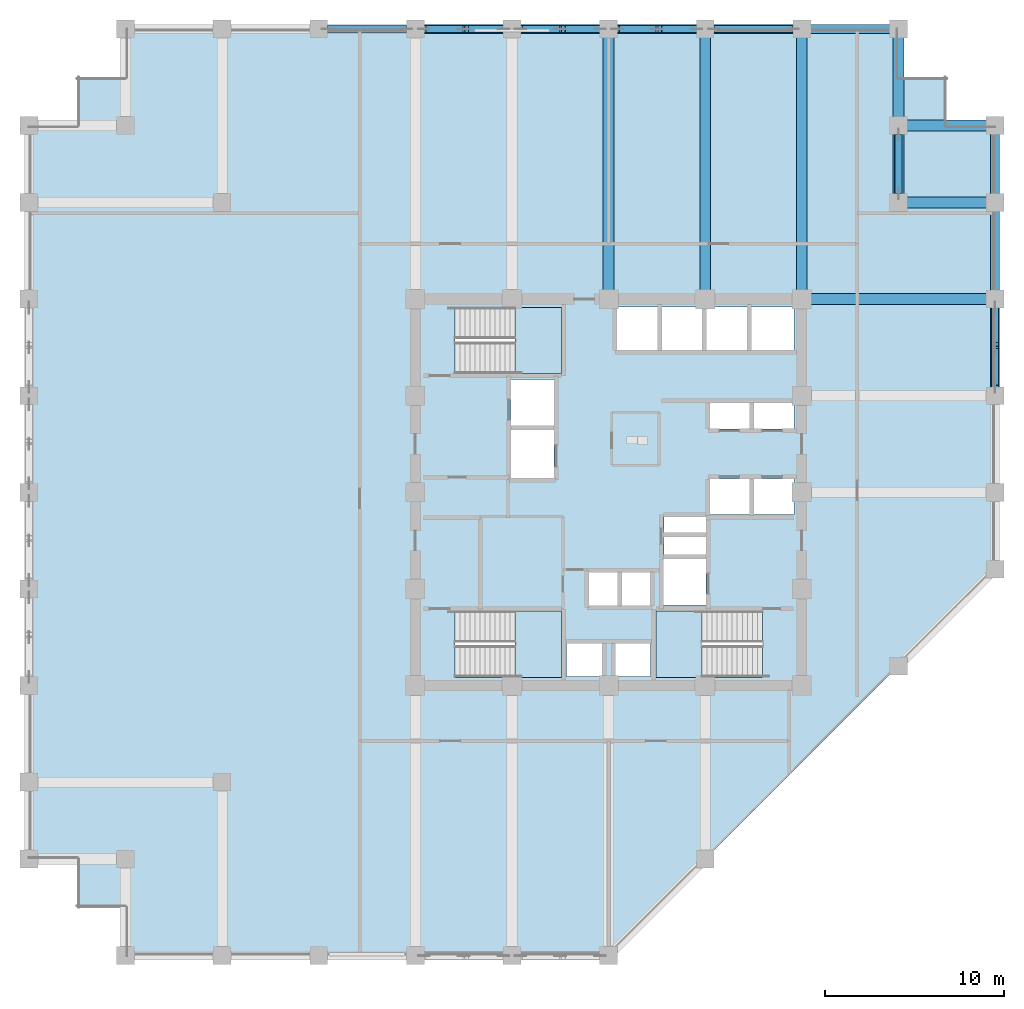
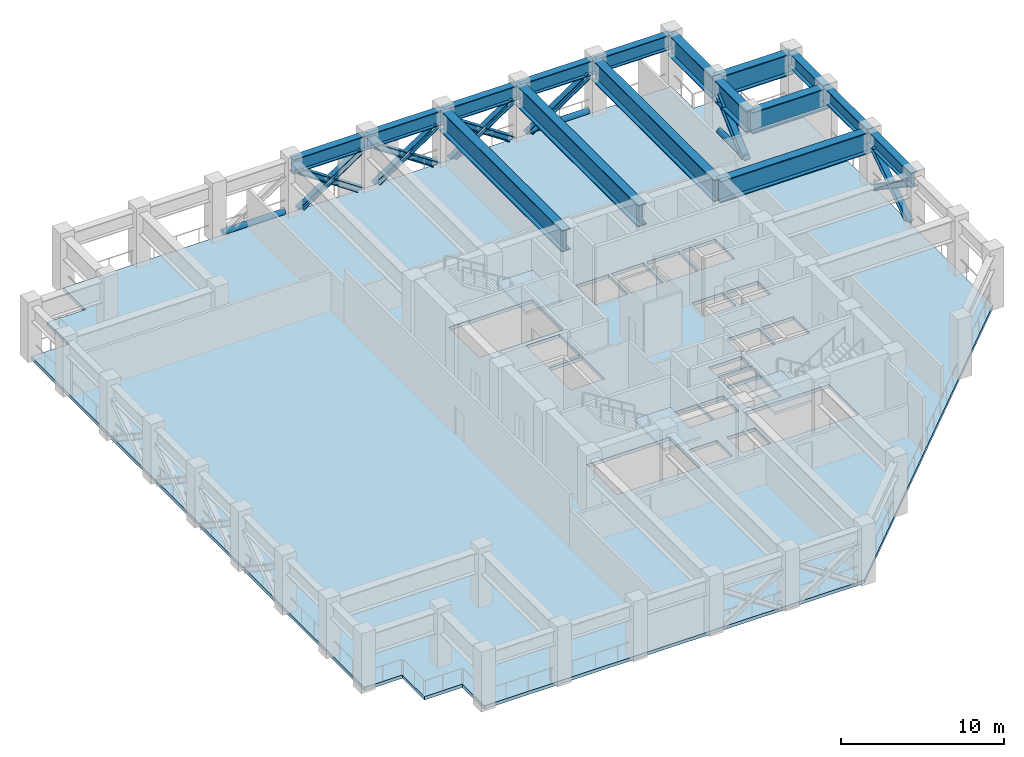
# One storey, part 2 of 12: 17 members, 16 beams, 4 slabs, 3 elements without a shape of their own.
"""IFC4 building model written with IfcOpenShell, lengths in metres."""

import ifcopenshell
import ifcopenshell.guid

model = None  # the IFC model being written
_history = None  # IfcOwnerHistory: only IFC2X3 demands one
_inside = {}  # id of a spatial element -> (the spatial element, [elements in it])
_under = {}  # id of a project, library or spatial element -> (it, [spatial elements below it])
_declared = {}  # id of a project -> (the project, [libraries it declares])
_typed = {}  # id of a type object -> (the type object, [elements of that type])
_made_of = {}  # id of a material, layer set ... -> (it, [elements and type objects made of it])


def new_model(schema):
    """Start an empty IFC model of exactly this schema.

    Asked for "IFC4X3", IfcOpenShell would pick the latest addendum, in which some entities
    have other attributes; the version numbers below select the first issue.
    IFC2X3 requires an IfcOwnerHistory on every rooted entity: one is made here for all.
    """
    global model, _history
    if schema == "IFC4X3":
        model = ifcopenshell.file(schema_version=(4, 3, 0, 0))
    else:
        model = ifcopenshell.file(schema=schema)
    _inside.clear()
    _under.clear()
    _declared.clear()
    _typed.clear()
    _made_of.clear()
    _history = None
    if model.schema == "IFC2X3":
        org = make("IfcOrganization", Name="unknown")
        user = make(
            "IfcPersonAndOrganization",
            ThePerson=make("IfcPerson", FamilyName="unknown"),
            TheOrganization=org,
        )
        app = make(
            "IfcApplication",
            ApplicationDeveloper=org,
            Version="unknown",
            ApplicationFullName="unknown",
            ApplicationIdentifier="unknown",
        )
        _history = make(
            "IfcOwnerHistory",
            OwningUser=user,
            OwningApplication=app,
            ChangeAction="ADDED",
            CreationDate=0,
        )
    return model


def make(cls, **values):
    """One entity of the class cls with the attributes given. An attribute that is None is left unset."""
    return model.create_entity(
        cls, **{name: value for name, value in values.items() if value is not None}
    )


def rooted(cls, **values):
    """An entity with a GlobalId (a new one), such as an element, a storey or a relation."""
    return make(cls, GlobalId=ifcopenshell.guid.new(), OwnerHistory=_history, **values)


def si_unit(unit_type, name, prefix=None):
    """IfcSIUnit, for example si_unit("LENGTHUNIT", "METRE", prefix="MILLI")."""
    return make("IfcSIUnit", UnitType=unit_type, Prefix=prefix, Name=name)


def assignment(units):
    """IfcUnitAssignment: the units of a project."""
    return None if units is None else make("IfcUnitAssignment", Units=units)


def point(xyz):
    """IfcCartesianPoint."""
    return None if xyz is None else make("IfcCartesianPoint", Coordinates=xyz)


def direction(xyz):
    """IfcDirection."""
    return None if xyz is None else make("IfcDirection", DirectionRatios=xyz)


def frame(location, z_axis=None, x_axis=None):
    """IfcAxis2Placement3D, a coordinate frame: its origin and axes. An axis left out is left unset."""
    return make(
        "IfcAxis2Placement3D",
        Location=point(location),
        Axis=direction(z_axis),
        RefDirection=direction(x_axis),
    )


def frame_2d(location, x_axis=None):
    """IfcAxis2Placement2D, a coordinate frame in the plane: its origin and x axis."""
    return make(
        "IfcAxis2Placement2D", Location=point(location), RefDirection=direction(x_axis)
    )


def origin():
    """The frame at (0, 0, 0) with its axes left unset."""
    return frame((0.0, 0.0, 0.0))


def origin_2d():
    """The frame at (0, 0) in the plane with its x axis left unset."""
    return frame_2d((0.0, 0.0))


def place(relative_to, where):
    """IfcLocalPlacement: puts the frame where relative to a parent placement (None: the world)."""
    return make(
        "IfcLocalPlacement", PlacementRelTo=relative_to, RelativePlacement=where
    )


def context(
    kind, dimensions, precision=None, world=None, true_north=None, identifier=None
):
    """IfcGeometricRepresentationContext, for example the 3D "Model" context."""
    return make(
        "IfcGeometricRepresentationContext",
        ContextIdentifier=identifier,
        ContextType=kind,
        CoordinateSpaceDimension=dimensions,
        Precision=precision,
        WorldCoordinateSystem=world,
        TrueNorth=true_north,
    )


def subcontext(parent, identifier, kind, view, scale=None):
    """IfcGeometricRepresentationSubContext, for example "Body" below "Model"."""
    return make(
        "IfcGeometricRepresentationSubContext",
        ContextIdentifier=identifier,
        ContextType=kind,
        ParentContext=parent,
        TargetScale=scale,
        TargetView=view,
    )


def project(units=None, contexts=None):
    """IfcProject with its units and contexts."""
    return rooted(
        "IfcProject",
        Name="project",
        RepresentationContexts=contexts,
        UnitsInContext=assignment(units),
    )


def spatial(cls, under=None, at=None, **own):
    """A site, building, storey or space (cls), placed at a placement, below another one or the project."""
    s = rooted(cls, ObjectPlacement=at, **own)
    if under is not None:
        _under.setdefault(under.id(), (under, []))[1].append(s)
    return s


def polyline(points):
    """IfcPolyline through the points."""
    return make("IfcPolyline", Points=[point(p) for p in points])


def profile(cls, at=None, kind="AREA", **sizes):
    """A parametric profile (cls). Its sizes go by their IFC names, for example OverallWidth=200.0."""
    return make(cls, ProfileType=kind, Position=at, **sizes)


def hollow_circle(**sizes):
    """IfcCircleHollowProfileDef."""
    return profile("IfcCircleHollowProfileDef", **sizes)


def i_section(**sizes):
    """IfcIShapeProfileDef."""
    return profile("IfcIShapeProfileDef", **sizes)


def outline(outer, holes=None, kind="AREA"):
    """IfcArbitraryClosedProfileDef: a profile drawn as a closed curve; with holes, ...WithVoids."""
    if holes is None:
        return make("IfcArbitraryClosedProfileDef", ProfileType=kind, OuterCurve=outer)
    return make(
        "IfcArbitraryProfileDefWithVoids",
        ProfileType=kind,
        OuterCurve=outer,
        InnerCurves=holes,
    )


def extrude(swept, where, along, depth):
    """IfcExtrudedAreaSolid: the profile swept, set in the frame where, extruded along a direction by depth."""
    return make(
        "IfcExtrudedAreaSolid",
        SweptArea=swept,
        Position=where,
        ExtrudedDirection=direction(along),
        Depth=depth,
    )


def shape(context_of_items, identifier, shape_type, items):
    """IfcShapeRepresentation: the items that make up one representation, for example the "Body"."""
    return make(
        "IfcShapeRepresentation",
        ContextOfItems=context_of_items,
        RepresentationIdentifier=identifier,
        RepresentationType=shape_type,
        Items=items,
    )


def material(Name=None, Category=None):
    """IfcMaterial."""
    return make("IfcMaterial", Name=Name, Category=Category)


def layer(
    of_material, thickness, ventilated=None, Name=None, Category=None, Priority=None
):
    """IfcMaterialLayer: one layer of a wall or slab, of a material (None: an air gap)."""
    return make(
        "IfcMaterialLayer",
        Material=of_material,
        LayerThickness=thickness,
        IsVentilated=ventilated,
        Name=Name,
        Category=Category,
        Priority=Priority,
    )


def layer_set(layers, Name=None):
    """IfcMaterialLayerSet."""
    return make("IfcMaterialLayerSet", MaterialLayers=layers, LayerSetName=Name)


def material_profile(
    of_material, cross_section, Name=None, Category=None, Priority=None
):
    """IfcMaterialProfile: a cross section and its material."""
    return make(
        "IfcMaterialProfile",
        Name=Name,
        Material=of_material,
        Profile=cross_section,
        Priority=Priority,
        Category=Category,
    )


def profile_set(profiles, Name=None, composite=None):
    """IfcMaterialProfileSet."""
    return make(
        "IfcMaterialProfileSet",
        Name=Name,
        MaterialProfiles=profiles,
        CompositeProfile=composite,
    )


def made_of(thing, what):
    """Note that an element or type object is made of a material, layer set ...; save() writes the relation."""
    if what is not None:
        _made_of.setdefault(what.id(), (what, []))[1].append(thing)
    return thing


def type_object(cls, material=None, **own):
    """A type object (cls), such as IfcWallType, which elements share."""
    return made_of(rooted(cls, **own), material)


def element(
    cls,
    number,
    at=None,
    inside=None,
    cuts=None,
    type_object=None,
    material=None,
    context=None,
    identifier="Body",
    shape_type=None,
    held_by="IfcProductDefinitionShape",
    body=None,
    shapes=None,
    **own,
):
    """One element of the class cls, such as IfcWall. Its Tag is "e" and its number.

    at: its placement. inside: the storey or other place that contains it. cuts: it is an
    opening in that element (IfcRelVoidsElement). A single representation is given by context,
    identifier, shape_type and body (its items); several are given by shapes. held_by: the class
    of the entity that holds the representations. save() writes the other relations.
    """
    e = rooted(cls, Tag="e%d" % number, ObjectPlacement=at, **own)
    if body is not None:
        shapes = [shape(context, identifier, shape_type, body)]
    if shapes is not None:
        e.Representation = make(held_by, Representations=shapes)
    if inside is not None:
        _inside.setdefault(inside.id(), (inside, []))[1].append(e)
    if cuts is not None:
        rooted(
            "IfcRelVoidsElement", RelatingBuildingElement=cuts, RelatedOpeningElement=e
        )
    if type_object is not None:
        _typed.setdefault(type_object.id(), (type_object, []))[1].append(e)
    return made_of(e, material)


def aggregate(whole, parts):
    """IfcRelAggregates: a whole, such as a stair, and the parts it consists of."""
    return rooted("IfcRelAggregates", RelatingObject=whole, RelatedObjects=parts)


def save(model, path):
    """Write the relations noted so far, then the file.

    IfcRelAggregates (storeys below a building ...), IfcRelContainedInSpatialStructure (elements
    in a storey), IfcRelDefinesByType, IfcRelAssociatesMaterial and IfcRelDeclares: one each for
    every whole, place, type object, material and project.
    """
    for whole, parts in _under.values():
        aggregate(whole, parts)
    for where, things in _inside.values():
        rooted(
            "IfcRelContainedInSpatialStructure",
            RelatedElements=things,
            RelatingStructure=where,
        )
    for kind, things in _typed.values():
        rooted("IfcRelDefinesByType", RelatedObjects=things, RelatingType=kind)
    for what, things in _made_of.values():
        rooted("IfcRelAssociatesMaterial", RelatedObjects=things, RelatingMaterial=what)
    for by, libraries in _declared.values():
        rooted("IfcRelDeclares", RelatingContext=by, RelatedDefinitions=libraries)
    model.write(path)


model = new_model("IFC4")

# Units and contexts
model_context = context("Model", 3, precision=1e-05, world=origin(), true_north=direction((0.0, 1.0)))
body_context = subcontext(model_context, "Body", "Model", "MODEL_VIEW")
ifc_project = project(units=[si_unit("LENGTHUNIT", "METRE"), si_unit("AREAUNIT", "SQUARE_METRE"), si_unit("VOLUMEUNIT", "CUBIC_METRE"), si_unit("PLANEANGLEUNIT", "RADIAN"), si_unit("MASSUNIT", "GRAM", prefix="KILO")], contexts=[model_context])

# Site, building, storey
site_placement = place(None, origin())
site = spatial("IfcSite", under=ifc_project, at=site_placement, CompositionType="ELEMENT")
building_placement = place(site_placement, origin())
building = spatial("IfcBuilding", under=site, at=building_placement, Name="Surkhivell Harbour Commons", CompositionType="ELEMENT")
storey_placement = place(building_placement, frame((0.0, 0.0, 166.5)))
storey = spatial("IfcBuildingStorey", under=building, at=storey_placement, Name="L43", CompositionType="ELEMENT", Elevation=166.5)

# Beams
ifc_material_1 = material(Name="Steel S460", Category="steel")
ifc_material_profile_1 = material_profile(ifc_material_1, i_section(OverallWidth=0.5, OverallDepth=1.10009765625, WebThickness=0.028076171875, FlangeThickness=0.054931640625, at=origin_2d()), Name="WPG1100x500x210")
ifc_profile_set_1 = profile_set([ifc_material_profile_1], Name="Steel S460")
beam_type_1 = type_object("IfcBeamType", Name="BM-BLT-1100", PredefinedType="BEAM", material=ifc_profile_set_1)
beam_1_placement = place(storey_placement, frame((-10.800048828125, 25.89990234375, 3.530029296875), z_axis=(1.0, 0.0, 0.0), x_axis=(0.0, 1.0, 0.0)))
element("IfcBeam", 1, at=beam_1_placement, inside=storey, type_object=beam_type_1, Name="L43 Tube Spandrel (-10.8,25.9)", PredefinedType="BEAM", context=body_context, shape_type="SweptSolid", body=[
    extrude(i_section(OverallWidth=0.5, OverallDepth=1.10009765625, WebThickness=0.028076171875, FlangeThickness=0.054931640625, at=origin_2d()), origin(), (0.0, 0.0, 1.0), 5.400146484375),
])
for number, where, z_axis, x_axis, name in (
    (2, (-5.39990234375, 25.89990234375, 3.530029296875), (1.0, 0.0, 0.0), (0.0, 1.0, 0.0), "L43 Tube Spandrel (-5.4,25.9)"),
    (3, (0.0, 25.89990234375, 3.530029296875), (1.0, 0.0, 0.0), (0.0, 1.0, 0.0), "L43 Tube Spandrel (-0.0,25.9)"),
):
    element("IfcBeam", number, at=place(storey_placement, frame(where, z_axis=z_axis, x_axis=x_axis)), inside=storey, type_object=beam_type_1, Name=name, PredefinedType="BEAM", context=body_context, shape_type="SweptSolid", body=[
        extrude(i_section(OverallWidth=0.5, OverallDepth=1.10009765625, WebThickness=0.028076171875, FlangeThickness=0.054931640625, at=origin_2d()), origin(), (0.0, 0.0, 1.0), 5.39990234375),
    ])
beam_2_placement = place(storey_placement, frame((5.39990234375, 25.89990234375, 3.530029296875), z_axis=(1.0, 0.0, 0.0), x_axis=(0.0, 1.0, 0.0)))
element("IfcBeam", 4, at=beam_2_placement, inside=storey, type_object=beam_type_1, Name="L43 Tube Spandrel (5.4,25.9)", PredefinedType="BEAM", context=body_context, shape_type="SweptSolid", body=[
    extrude(i_section(OverallWidth=0.5, OverallDepth=1.10009765625, WebThickness=0.028076171875, FlangeThickness=0.054931640625, at=origin_2d()), origin(), (0.0, 0.0, 1.0), 5.400146484375),
])
beam_3_placement = place(storey_placement, frame((10.800048828125, 25.89990234375, 3.530029296875), z_axis=(1.0, 0.0, 0.0), x_axis=(0.0, 1.0, 0.0)))
element("IfcBeam", 5, at=beam_3_placement, inside=storey, type_object=beam_type_1, Name="L43 Tube Spandrel (10.8,25.9)", PredefinedType="BEAM", context=body_context, shape_type="SweptSolid", body=[
    extrude(i_section(OverallWidth=0.5, OverallDepth=1.10009765625, WebThickness=0.028076171875, FlangeThickness=0.054931640625, at=origin_2d()), origin(), (0.0, 0.0, 1.0), 5.39990234375),
])
beam_4_placement = place(storey_placement, frame((21.60009765625, 5.39990234375, 3.530029296875), z_axis=(0.0, 1.0, 0.0), x_axis=(-1.0, 0.0, 0.0)))
element("IfcBeam", 6, at=beam_4_placement, inside=storey, type_object=beam_type_1, Name="L43 Tube Spandrel (21.6,5.4)", PredefinedType="BEAM", context=body_context, shape_type="SweptSolid", body=[
    extrude(i_section(OverallWidth=0.5, OverallDepth=1.10009765625, WebThickness=0.028076171875, FlangeThickness=0.054931640625, at=origin_2d()), origin(), (0.0, 0.0, 1.0), 5.400146484375),
])
beam_5_placement = place(storey_placement, frame((21.60009765625, 10.800048828125, 3.530029296875), z_axis=(0.0, 1.0, 0.0), x_axis=(-1.0, 0.0, 0.0)))
element("IfcBeam", 7, at=beam_5_placement, inside=storey, type_object=beam_type_1, Name="L43 Tube Spandrel (21.6,10.8)", PredefinedType="BEAM", context=body_context, shape_type="SweptSolid", body=[
    extrude(i_section(OverallWidth=0.5, OverallDepth=1.10009765625, WebThickness=0.028076171875, FlangeThickness=0.054931640625, at=origin_2d()), origin(), (0.0, 0.0, 1.0), 5.39990234375),
])
beam_6_placement = place(storey_placement, frame((21.60009765625, 16.199951171875, 3.530029296875), z_axis=(0.0, 1.0, 0.0), x_axis=(-1.0, 0.0, 0.0)))
element("IfcBeam", 8, at=beam_6_placement, inside=storey, type_object=beam_type_1, Name="L43 Tube Spandrel (21.6,16.2)", PredefinedType="BEAM", context=body_context, shape_type="SweptSolid", body=[
    extrude(i_section(OverallWidth=0.5, OverallDepth=1.10009765625, WebThickness=0.028076171875, FlangeThickness=0.054931640625, at=origin_2d()), origin(), (0.0, 0.0, 1.0), 4.300048828125),
])
ifc_material_profile_2 = material_profile(ifc_material_1, i_section(OverallWidth=0.60009765625, OverallDepth=1.60009765625, WebThickness=0.035888671875, FlangeThickness=0.06494140625, at=origin_2d()), Name="WPG1600x600x296")
ifc_profile_set_2 = profile_set([ifc_material_profile_2], Name="Steel S460")
beam_type_2 = type_object("IfcBeamType", Name="BM-TRF-1600", PredefinedType="BEAM", material=ifc_profile_set_2)
for number, where, z_axis, x_axis, name in (
    (9, (0.0, 10.800048828125, 3.280029296875), (0.0, 1.0, 0.0), (-1.0, 0.0, 0.0), "L43 Floor Girder (0.0,10.8)"),
    (10, (5.39990234375, 10.800048828125, 3.280029296875), (0.0, 1.0, 0.0), (-1.0, 0.0, 0.0), "L43 Floor Girder (5.4,10.8)"),
    (11, (10.800048828125, 10.800048828125, 3.280029296875), (0.0, 1.0, 0.0), (-1.0, 0.0, 0.0), "L43 Floor Girder (10.8,10.8)"),
):
    element("IfcBeam", number, at=place(storey_placement, frame(where, z_axis=z_axis, x_axis=x_axis)), inside=storey, type_object=beam_type_2, Name=name, PredefinedType="BEAM", context=body_context, shape_type="SweptSolid", body=[
        extrude(i_section(OverallWidth=0.60009765625, OverallDepth=1.60009765625, WebThickness=0.035888671875, FlangeThickness=0.06494140625, at=origin_2d()), origin(), (0.0, 0.0, 1.0), 15.099853515625),
    ])
beam_7_placement = place(storey_placement, frame((10.800048828125, 10.800048828125, 3.280029296875), z_axis=(1.0, 0.0, 0.0), x_axis=(0.0, 1.0, 0.0)))
element("IfcBeam", 12, at=beam_7_placement, inside=storey, type_object=beam_type_2, Name="L43 Floor Girder (10.8,10.8)", PredefinedType="BEAM", context=body_context, shape_type="SweptSolid", body=[
    extrude(i_section(OverallWidth=0.60009765625, OverallDepth=1.60009765625, WebThickness=0.035888671875, FlangeThickness=0.06494140625, at=origin_2d()), origin(), (0.0, 0.0, 1.0), 10.800048828125),
])
beam_8_placement = place(storey_placement, frame((16.199951171875, 16.199951171875, 3.280029296875), z_axis=(0.0, 1.0, 0.0), x_axis=(-1.0, 0.0, 0.0)))
element("IfcBeam", 13, at=beam_8_placement, inside=storey, type_object=beam_type_2, Name="L43 Floor Girder (16.2,16.2)", PredefinedType="BEAM", context=body_context, shape_type="SweptSolid", body=[
    extrude(i_section(OverallWidth=0.60009765625, OverallDepth=1.60009765625, WebThickness=0.035888671875, FlangeThickness=0.06494140625, at=origin_2d()), origin(), (0.0, 0.0, 1.0), 4.300048828125),
])
beam_9_placement = place(storey_placement, frame((16.199951171875, 16.199951171875, 3.280029296875), z_axis=(1.0, 0.0, 0.0), x_axis=(0.0, 1.0, 0.0)))
element("IfcBeam", 14, at=beam_9_placement, inside=storey, type_object=beam_type_2, Name="L43 Floor Girder (16.2,16.2)", PredefinedType="BEAM", context=body_context, shape_type="SweptSolid", body=[
    extrude(i_section(OverallWidth=0.60009765625, OverallDepth=1.60009765625, WebThickness=0.035888671875, FlangeThickness=0.06494140625, at=origin_2d()), origin(), (0.0, 0.0, 1.0), 5.400146484375),
])
beam_10_placement = place(storey_placement, frame((16.199951171875, 20.5, 3.280029296875), z_axis=(0.0, 1.0, 0.0), x_axis=(-1.0, 0.0, 0.0)))
element("IfcBeam", 15, at=beam_10_placement, inside=storey, type_object=beam_type_2, Name="L43 Floor Girder (16.2,20.5)", PredefinedType="BEAM", context=body_context, shape_type="SweptSolid", body=[
    extrude(i_section(OverallWidth=0.60009765625, OverallDepth=1.60009765625, WebThickness=0.035888671875, FlangeThickness=0.06494140625, at=origin_2d()), origin(), (0.0, 0.0, 1.0), 5.39990234375),
])
beam_11_placement = place(storey_placement, frame((16.199951171875, 20.5, 3.280029296875), z_axis=(1.0, 0.0, 0.0), x_axis=(0.0, 1.0, 0.0)))
element("IfcBeam", 16, at=beam_11_placement, inside=storey, type_object=beam_type_2, Name="L43 Floor Girder (16.2,20.5)", PredefinedType="BEAM", context=body_context, shape_type="SweptSolid", body=[
    extrude(i_section(OverallWidth=0.60009765625, OverallDepth=1.60009765625, WebThickness=0.035888671875, FlangeThickness=0.06494140625, at=origin_2d()), origin(), (0.0, 0.0, 1.0), 5.400146484375),
])

# Members
ifc_material_profile_3 = material_profile(ifc_material_1, i_section(OverallWidth=0.406005859375, OverallDepth=0.416015625, WebThickness=0.026611328125, FlangeThickness=0.0390625, at=origin_2d()), Name="HD400x382")
ifc_profile_set_3 = profile_set([ifc_material_profile_3], Name="Steel S460")
member_type_1 = type_object("IfcMemberType", Name="MEM-BLT-BT1", PredefinedType="BRACE", material=ifc_profile_set_3)
member_1_placement = place(storey_placement, frame((-4.9150390625, 25.89990234375, 0.008056640625), z_axis=(0.830095591103, 0.0, 0.557621116558), x_axis=(0.0, 1.0, 0.0)))
element("IfcMember", 17, at=member_1_placement, inside=storey, type_object=member_type_1, Name="L43 Belt-Truss Diagonal BT- 07", PredefinedType="BRACE", context=body_context, shape_type="SweptSolid", body=[
    extrude(i_section(OverallWidth=0.406005859375, OverallDepth=0.416015625, WebThickness=0.026611328125, FlangeThickness=0.0390625, at=origin_2d()), origin(), (0.0, 0.0, 1.0), 5.336669921875),
])
member_2_placement = place(storey_placement, frame((-0.485107421875, 25.89990234375, 0.008056640625), z_axis=(-0.830097526261, 0.0, 0.557618235799), x_axis=(0.0, -1.0, 0.0)))
element("IfcMember", 18, at=member_2_placement, inside=storey, type_object=member_type_1, Name="L43 Belt-Truss Diagonal BT- 08", PredefinedType="BRACE", context=body_context, shape_type="SweptSolid", body=[
    extrude(i_section(OverallWidth=0.406005859375, OverallDepth=0.416015625, WebThickness=0.026611328125, FlangeThickness=0.0390625, at=origin_2d()), origin(), (0.0, 0.0, 1.0), 2.468505859375),
])
member_3_placement = place(storey_placement, frame((-2.86572265625, 25.89990234375, 1.607421875), z_axis=(-0.830128275357, 0.0, 0.557572458478), x_axis=(0.0, -1.0, 0.0)))
element("IfcMember", 19, at=member_3_placement, inside=storey, type_object=member_type_1, Name="L43 Belt-Truss Diagonal BT- 09", PredefinedType="BRACE", context=body_context, shape_type="SweptSolid", body=[
    extrude(i_section(OverallWidth=0.406005859375, OverallDepth=0.416015625, WebThickness=0.026611328125, FlangeThickness=0.0390625, at=origin_2d()), origin(), (0.0, 0.0, 1.0), 2.46875),
])
member_4_placement = place(storey_placement, frame((0.485107421875, 25.89990234375, 0.008056640625), z_axis=(0.830095591103, 0.0, 0.557621116558), x_axis=(0.0, 1.0, 0.0)))
element("IfcMember", 20, at=member_4_placement, inside=storey, type_object=member_type_1, Name="L43 Belt-Truss Diagonal BT- 10", PredefinedType="BRACE", context=body_context, shape_type="SweptSolid", body=[
    extrude(i_section(OverallWidth=0.406005859375, OverallDepth=0.416015625, WebThickness=0.026611328125, FlangeThickness=0.0390625, at=origin_2d()), origin(), (0.0, 0.0, 1.0), 5.336669921875),
])
member_5_placement = place(storey_placement, frame((4.9150390625, 25.89990234375, 0.008056640625), z_axis=(-0.830128275357, 0.0, 0.557572458478), x_axis=(0.0, -1.0, 0.0)))
element("IfcMember", 21, at=member_5_placement, inside=storey, type_object=member_type_1, Name="L43 Belt-Truss Diagonal BT- 11", PredefinedType="BRACE", context=body_context, shape_type="SweptSolid", body=[
    extrude(i_section(OverallWidth=0.406005859375, OverallDepth=0.416015625, WebThickness=0.026611328125, FlangeThickness=0.0390625, at=origin_2d()), origin(), (0.0, 0.0, 1.0), 2.46875),
])
member_6_placement = place(storey_placement, frame((2.5341796875, 25.89990234375, 1.607421875), z_axis=(-0.830097526261, 0.0, 0.557618235799), x_axis=(0.0, -1.0, 0.0)))
element("IfcMember", 22, at=member_6_placement, inside=storey, type_object=member_type_1, Name="L43 Belt-Truss Diagonal BT- 12", PredefinedType="BRACE", context=body_context, shape_type="SweptSolid", body=[
    extrude(i_section(OverallWidth=0.406005859375, OverallDepth=0.416015625, WebThickness=0.026611328125, FlangeThickness=0.0390625, at=origin_2d()), origin(), (0.0, 0.0, 1.0), 2.468505859375),
])
member_7_placement = place(storey_placement, frame((21.60009765625, 5.885009765625, 0.008056640625), z_axis=(0.0, 0.830095591103, 0.557621116558), x_axis=(-1.0, 0.0, 0.0)))
element("IfcMember", 23, at=member_7_placement, inside=storey, type_object=member_type_1, Name="L43 Belt-Truss Diagonal BT- 19", PredefinedType="BRACE", context=body_context, shape_type="SweptSolid", body=[
    extrude(i_section(OverallWidth=0.406005859375, OverallDepth=0.416015625, WebThickness=0.026611328125, FlangeThickness=0.0390625, at=origin_2d()), origin(), (0.0, 0.0, 1.0), 5.336669921875),
])
for number, where, z_axis, x_axis, name in (
    (24, (21.60009765625, 10.31494140625, 0.008056640625), (0.0, -0.830097526261, 0.557618235799), (1.0, 0.0, 0.0), "L43 Belt-Truss Diagonal BT- 20"),
    (25, (21.60009765625, 7.93408203125, 1.607421875), (0.0, -0.830097526261, 0.557618235799), (1.0, 0.0, 0.0), "L43 Belt-Truss Diagonal BT- 21"),
):
    element("IfcMember", number, at=place(storey_placement, frame(where, z_axis=z_axis, x_axis=x_axis)), inside=storey, type_object=member_type_1, Name=name, PredefinedType="BRACE", context=body_context, shape_type="SweptSolid", body=[
        extrude(i_section(OverallWidth=0.406005859375, OverallDepth=0.416015625, WebThickness=0.026611328125, FlangeThickness=0.0390625, at=origin_2d()), origin(), (0.0, 0.0, 1.0), 2.468505859375),
    ])
member_8_placement = place(storey_placement, frame((-10.31494140625, 25.89990234375, 0.008056640625), z_axis=(0.830095591103, 0.0, 0.557621116558), x_axis=(0.0, 1.0, 0.0)))
element("IfcMember", 26, at=member_8_placement, inside=storey, type_object=member_type_1, Name="L43 Belt-Truss Diagonal BT- 22", PredefinedType="BRACE", context=body_context, shape_type="SweptSolid", body=[
    extrude(i_section(OverallWidth=0.406005859375, OverallDepth=0.416015625, WebThickness=0.026611328125, FlangeThickness=0.0390625, at=origin_2d()), origin(), (0.0, 0.0, 1.0), 5.336669921875),
])
for number, where, z_axis, x_axis, name in (
    (27, (-5.885009765625, 25.89990234375, 0.008056640625), (-0.830097526261, 0.0, 0.557618235799), (0.0, -1.0, 0.0), "L43 Belt-Truss Diagonal BT- 23"),
    (28, (-8.265869140625, 25.89990234375, 1.607421875), (-0.830097526261, 0.0, 0.557618235799), (0.0, -1.0, 0.0), "L43 Belt-Truss Diagonal BT- 24"),
):
    element("IfcMember", number, at=place(storey_placement, frame(where, z_axis=z_axis, x_axis=x_axis)), inside=storey, type_object=member_type_1, Name=name, PredefinedType="BRACE", context=body_context, shape_type="SweptSolid", body=[
        extrude(i_section(OverallWidth=0.406005859375, OverallDepth=0.416015625, WebThickness=0.026611328125, FlangeThickness=0.0390625, at=origin_2d()), origin(), (0.0, 0.0, 1.0), 2.468505859375),
    ])
ifc_material_profile_4 = material_profile(ifc_material_1, hollow_circle(Radius=0.203125, WallThickness=0.02001953125, at=origin_2d()), Name="CHS406x20")
ifc_profile_set_4 = profile_set([ifc_material_profile_4], Name="Steel S460")
member_type_2 = type_object("IfcMemberType", Name="MEM-CHD-CHS406", PredefinedType="CHORD", material=ifc_profile_set_4)
member_9_placement = place(storey_placement, frame((16.199951171875, 16.697998046875, 0.22998046875), z_axis=(0.0, 1.0, 0.0), x_axis=(-1.0, 0.0, 0.0)))
element("IfcMember", 29, at=member_9_placement, inside=storey, type_object=member_type_2, Name="L43 Outrigger Bottom Chord OC-02", PredefinedType="CHORD", context=body_context, shape_type="SweptSolid", body=[
    extrude(hollow_circle(Radius=0.203125, WallThickness=0.02001953125, at=origin_2d()), origin(), (0.0, 0.0, 1.0), 3.303955078125),
])
member_10_placement = place(storey_placement, frame((-15.701904296875, 25.89990234375, 0.22998046875), z_axis=(1.0, 0.0, 0.0), x_axis=(0.0, 1.0, 0.0)))
element("IfcMember", 30, at=member_10_placement, inside=storey, type_object=member_type_2, Name="L43 Outrigger Bottom Chord OC-04", PredefinedType="CHORD", context=body_context, shape_type="SweptSolid", body=[
    extrude(hollow_circle(Radius=0.203125, WallThickness=0.02001953125, at=origin_2d()), origin(), (0.0, 0.0, 1.0), 4.40380859375),
])
member_11_placement = place(storey_placement, frame((5.89794921875, 25.89990234375, 0.22998046875), z_axis=(1.0, 0.0, 0.0), x_axis=(0.0, 1.0, 0.0)))
element("IfcMember", 31, at=member_11_placement, inside=storey, type_object=member_type_2, Name="L43 Outrigger Bottom Chord OC-06", PredefinedType="CHORD", context=body_context, shape_type="SweptSolid", body=[
    extrude(hollow_circle(Radius=0.203125, WallThickness=0.02001953125, at=origin_2d()), origin(), (0.0, 0.0, 1.0), 4.404052734375),
])
ifc_material_profile_5 = material_profile(ifc_material_1, i_section(OverallWidth=0.41796875, OverallDepth=0.455078125, WebThickness=0.03759765625, FlangeThickness=0.055908203125, at=origin_2d()), Name="HD400x551")
ifc_profile_set_5 = profile_set([ifc_material_profile_5], Name="Steel S460")
member_type_3 = type_object("IfcMemberType", Name="MEM-OUT-OT1", PredefinedType="BRACE", material=ifc_profile_set_5)
member_12_placement = place(storey_placement, frame((16.199951171875, 16.697998046875, 0.010009765625), z_axis=(0.0, 0.743012888282, 0.669277108414), x_axis=(-1.0, 0.0, 0.0)))
element("IfcMember", 32, at=member_12_placement, inside=storey, type_object=member_type_3, Name="L43 Outrigger Truss Diagonal OT-01", PredefinedType="BRACE", context=body_context, shape_type="SweptSolid", body=[
    extrude(i_section(OverallWidth=0.41796875, OverallDepth=0.455078125, WebThickness=0.03759765625, FlangeThickness=0.055908203125, at=origin_2d()), origin(), (0.0, 0.0, 1.0), 4.44677734375),
])
member_13_placement = place(storey_placement, frame((5.89794921875, 25.89990234375, 0.010009765625), z_axis=(0.82855729448, 0.0, 0.559904286253), x_axis=(0.0, 1.0, 0.0)))
element("IfcMember", 33, at=member_13_placement, inside=storey, type_object=member_type_3, Name="L43 Outrigger Truss Diagonal OT-05", PredefinedType="BRACE", context=body_context, shape_type="SweptSolid", body=[
    extrude(i_section(OverallWidth=0.41796875, OverallDepth=0.455078125, WebThickness=0.03759765625, FlangeThickness=0.055908203125, at=origin_2d()), origin(), (0.0, 0.0, 1.0), 5.3154296875),
])

# Slab
ifc_material_2 = material(Name="Concrete C50/60", Category="concrete")
ifc_layer_1 = layer(ifc_material_2, 0.25)
ifc_layer_set_1 = layer_set([ifc_layer_1], Name="Concrete C50/60")
slab_type_1 = type_object("IfcSlabType", Name="SLB-POD-250", PredefinedType="FLOOR", material=ifc_layer_set_1)
slab_1_placement = place(storey_placement, frame((0.0, 0.0, -0.25)))
element("IfcSlab", 34, at=slab_1_placement, inside=storey, type_object=slab_type_1, Name="L43 Structural Floor Slab", PredefinedType="FLOOR", context=body_context, shape_type="SweptSolid", body=[
    extrude(outline(polyline([(-27.0, -25.89990234375), (0.0, -25.89990234375), (21.60009765625, -4.300048828125), (21.60009765625, 20.5), (18.89990234375, 20.5), (18.89990234375, 23.199951171875), (16.199951171875, 23.199951171875), (16.199951171875, 25.89990234375), (-27.0, 25.89990234375), (-27.0, 23.199951171875), (-29.699951171875, 23.199951171875), (-29.699951171875, 20.5), (-32.39990234375, 20.5), (-32.39990234375, -20.5), (-29.699951171875, -20.5), (-29.699951171875, -23.199951171875), (-27.0, -23.199951171875), (-27.0, -25.89990234375)]), holes=[polyline([(-8.590087890625, 6.639892578125), (-2.639892578125, 6.639892578125), (-2.639892578125, 10.340087890625), (-8.590087890625, 10.340087890625), (-8.590087890625, 6.639892578125)]), polyline([(8.590087890625, -6.639892578125), (2.639892578125, -6.639892578125), (2.639892578125, -10.340087890625), (8.590087890625, -10.340087890625), (8.590087890625, -6.639892578125)]), polyline([(-8.590087890625, -10.340087890625), (-2.639892578125, -10.340087890625), (-2.639892578125, -6.639892578125), (-8.590087890625, -6.639892578125), (-8.590087890625, -10.340087890625)]), polyline([(0.449951171875, 7.949951171875), (2.75, 7.949951171875), (2.75, 10.35009765625), (0.449951171875, 10.35009765625), (0.449951171875, 7.949951171875)]), polyline([(2.949951171875, 7.949951171875), (5.25, 7.949951171875), (5.25, 10.35009765625), (2.949951171875, 10.35009765625), (2.949951171875, 7.949951171875)]), polyline([(5.449951171875, 7.949951171875), (7.75, 7.949951171875), (7.75, 10.35009765625), (5.449951171875, 10.35009765625), (5.449951171875, 7.949951171875)]), polyline([(7.949951171875, 7.949951171875), (10.35009765625, 7.949951171875), (10.35009765625, 10.35009765625), (7.949951171875, 10.35009765625), (7.949951171875, 7.949951171875)]), polyline([(5.64990234375, 3.550048828125), (7.89990234375, 3.550048828125), (7.89990234375, 5.14990234375), (5.64990234375, 5.14990234375), (5.64990234375, 3.550048828125)]), polyline([(8.10009765625, 3.550048828125), (10.35009765625, 3.550048828125), (10.35009765625, 5.14990234375), (8.10009765625, 5.14990234375), (8.10009765625, 3.550048828125)]), polyline([(5.64990234375, -1.25), (7.89990234375, -1.25), (7.89990234375, 0.75), (5.64990234375, 0.75), (5.64990234375, -1.25)]), polyline([(8.10009765625, -1.25), (10.35009765625, -1.25), (10.35009765625, 0.75), (8.10009765625, 0.75), (8.10009765625, -1.25)]), polyline([(-1.14990234375, -6.35009765625), (0.550048828125, -6.35009765625), (0.550048828125, -4.449951171875), (-1.14990234375, -4.449951171875), (-1.14990234375, -6.35009765625)]), polyline([(0.679931640625, -6.35009765625), (2.3798828125, -6.35009765625), (2.3798828125, -4.449951171875), (0.679931640625, -4.449951171875), (0.679931640625, -6.35009765625)]), polyline([(-2.35009765625, -10.300048828125), (-0.35009765625, -10.300048828125), (-0.35009765625, -8.39990234375), (-2.35009765625, -8.39990234375), (-2.35009765625, -10.300048828125)]), polyline([(0.35009765625, -10.300048828125), (2.35009765625, -10.300048828125), (2.35009765625, -8.39990234375), (0.35009765625, -8.39990234375), (0.35009765625, -10.300048828125)]), polyline([(-5.449951171875, 3.699951171875), (-3.050048828125, 3.699951171875), (-3.050048828125, 6.300048828125), (-5.449951171875, 6.300048828125), (-5.449951171875, 3.699951171875)]), polyline([(3.050048828125, -6.300048828125), (5.449951171875, -6.300048828125), (5.449951171875, -3.699951171875), (3.050048828125, -3.699951171875), (3.050048828125, -6.300048828125)]), polyline([(-5.449951171875, 0.800048828125), (-3.050048828125, 0.800048828125), (-3.050048828125, 3.5), (-5.449951171875, 3.5), (-5.449951171875, 0.800048828125)]), polyline([(3.10009765625, -3.550048828125), (5.449951171875, -3.550048828125), (5.449951171875, -2.47998046875), (3.10009765625, -2.47998046875), (3.10009765625, -3.550048828125)]), polyline([(3.10009765625, -2.280029296875), (5.449951171875, -2.280029296875), (5.449951171875, -1.35009765625), (3.10009765625, -1.35009765625), (3.10009765625, -2.280029296875)])]), origin(), (0.0, 0.0, 1.0), 0.25),
])

# Stair, slab
ifc_material_3 = material(Name="Precast concrete C45/55", Category="concrete")
stair_type = type_object("IfcStairType", Name="STR-DL-450", PredefinedType="HALF_TURN_STAIR", material=ifc_material_3)
stair_1_placement = place(storey_placement, origin())
stair_1 = element("IfcStair", 35, at=stair_1_placement, inside=storey, type_object=stair_type, Name="L43 Core Exit Stair ST1", PredefinedType="HALF_TURN_STAIR")
ifc_material_4 = material(Name="Reinforced concrete C45/55", Category="concrete")
ifc_layer_2 = layer(ifc_material_4, 0.199951171875)
ifc_layer_set_2 = layer_set([ifc_layer_2], Name="Reinforced concrete C45/55")
slab_type_2 = type_object("IfcSlabType", Name="SLB-ST-LND200", PredefinedType="LANDING", material=ifc_layer_set_2)
slab_2_placement = place(storey_placement, frame((0.0, 0.0, 2.050048828125)))
slab_2 = element("IfcSlab", 36, at=slab_2_placement, type_object=slab_type_2, Name="ST1 landing 1", PredefinedType="LANDING", context=body_context, shape_type="SweptSolid", body=[
    extrude(outline(polyline([(-5.22998046875, 6.639892578125), (-2.639892578125, 6.639892578125), (-2.639892578125, 10.340087890625), (-5.22998046875, 10.340087890625), (-5.22998046875, 6.639892578125)])), origin(), (0.0, 0.0, 1.0), 0.199951171875),
])
aggregate(stair_1, [slab_2])

stair_2_placement = place(storey_placement, origin())
stair_2 = element("IfcStair", 37, at=stair_2_placement, inside=storey, type_object=stair_type, Name="L43 Core Exit Stair ST2", PredefinedType="HALF_TURN_STAIR")
slab_3_placement = place(storey_placement, frame((0.0, 0.0, 2.050048828125)))
slab_3 = element("IfcSlab", 38, at=slab_3_placement, type_object=slab_type_2, Name="ST2 landing 1", PredefinedType="LANDING", context=body_context, shape_type="SweptSolid", body=[
    extrude(outline(polyline([(5.22998046875, -6.639892578125), (2.639892578125, -6.639892578125), (2.639892578125, -10.340087890625), (5.22998046875, -10.340087890625), (5.22998046875, -6.639892578125)])), origin(), (0.0, 0.0, 1.0), 0.199951171875),
])
aggregate(stair_2, [slab_3])

stair_3_placement = place(storey_placement, origin())
stair_3 = element("IfcStair", 39, at=stair_3_placement, inside=storey, type_object=stair_type, Name="L43 Core Exit Stair ST3", PredefinedType="HALF_TURN_STAIR")
slab_4_placement = place(storey_placement, frame((0.0, 0.0, 2.050048828125)))
slab_4 = element("IfcSlab", 40, at=slab_4_placement, type_object=slab_type_2, Name="ST3 landing 1", PredefinedType="LANDING", context=body_context, shape_type="SweptSolid", body=[
    extrude(outline(polyline([(-5.22998046875, -10.340087890625), (-2.639892578125, -10.340087890625), (-2.639892578125, -6.639892578125), (-5.22998046875, -6.639892578125), (-5.22998046875, -10.340087890625)])), origin(), (0.0, 0.0, 1.0), 0.199951171875),
])
aggregate(stair_3, [slab_4])

save(model, "model.ifc")
